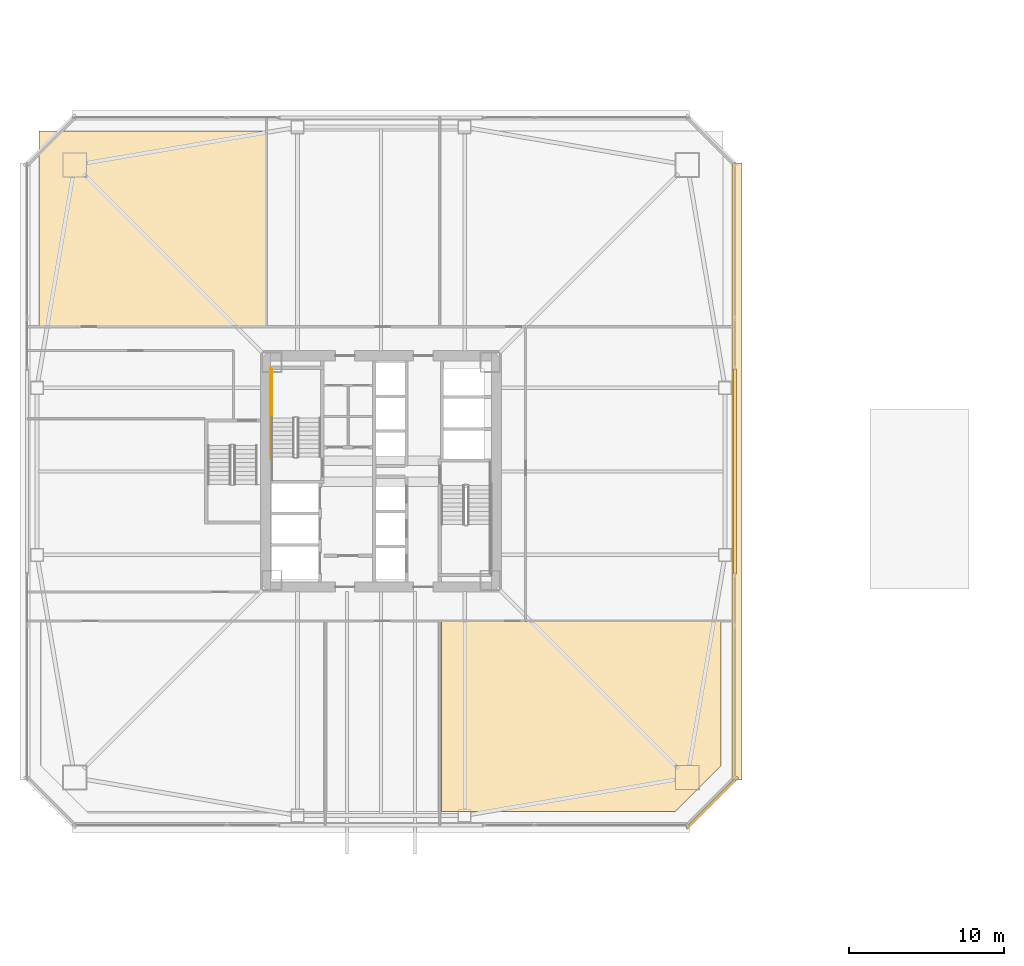
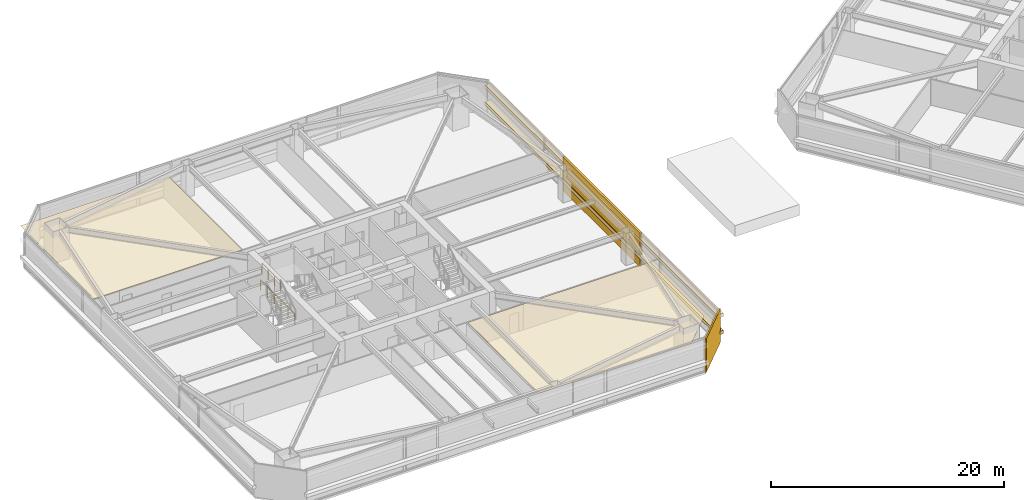
# One storey, part 41 of 46: 6 coverings, 2 railings.
"""IFC4 building model written with IfcOpenShell, lengths in metres."""

import ifcopenshell
import ifcopenshell.guid

model = None  # the IFC model being written
_history = None  # IfcOwnerHistory: only IFC2X3 demands one
_inside = {}  # id of a spatial element -> (the spatial element, [elements in it])
_under = {}  # id of a project, library or spatial element -> (it, [spatial elements below it])
_declared = {}  # id of a project -> (the project, [libraries it declares])
_typed = {}  # id of a type object -> (the type object, [elements of that type])
_made_of = {}  # id of a material, layer set ... -> (it, [elements and type objects made of it])


def new_model(schema):
    """Start an empty IFC model of exactly this schema.

    Asked for "IFC4X3", IfcOpenShell would pick the latest addendum, in which some entities
    have other attributes; the version numbers below select the first issue.
    IFC2X3 requires an IfcOwnerHistory on every rooted entity: one is made here for all.
    """
    global model, _history
    if schema == "IFC4X3":
        model = ifcopenshell.file(schema_version=(4, 3, 0, 0))
    else:
        model = ifcopenshell.file(schema=schema)
    _inside.clear()
    _under.clear()
    _declared.clear()
    _typed.clear()
    _made_of.clear()
    _history = None
    if model.schema == "IFC2X3":
        org = make("IfcOrganization", Name="unknown")
        user = make(
            "IfcPersonAndOrganization",
            ThePerson=make("IfcPerson", FamilyName="unknown"),
            TheOrganization=org,
        )
        app = make(
            "IfcApplication",
            ApplicationDeveloper=org,
            Version="unknown",
            ApplicationFullName="unknown",
            ApplicationIdentifier="unknown",
        )
        _history = make(
            "IfcOwnerHistory",
            OwningUser=user,
            OwningApplication=app,
            ChangeAction="ADDED",
            CreationDate=0,
        )
    return model


def make(cls, **values):
    """One entity of the class cls with the attributes given. An attribute that is None is left unset."""
    return model.create_entity(
        cls, **{name: value for name, value in values.items() if value is not None}
    )


def rooted(cls, **values):
    """An entity with a GlobalId (a new one), such as an element, a storey or a relation."""
    return make(cls, GlobalId=ifcopenshell.guid.new(), OwnerHistory=_history, **values)


def si_unit(unit_type, name, prefix=None):
    """IfcSIUnit, for example si_unit("LENGTHUNIT", "METRE", prefix="MILLI")."""
    return make("IfcSIUnit", UnitType=unit_type, Prefix=prefix, Name=name)


def assignment(units):
    """IfcUnitAssignment: the units of a project."""
    return None if units is None else make("IfcUnitAssignment", Units=units)


def point(xyz):
    """IfcCartesianPoint."""
    return None if xyz is None else make("IfcCartesianPoint", Coordinates=xyz)


def direction(xyz):
    """IfcDirection."""
    return None if xyz is None else make("IfcDirection", DirectionRatios=xyz)


def frame(location, z_axis=None, x_axis=None):
    """IfcAxis2Placement3D, a coordinate frame: its origin and axes. An axis left out is left unset."""
    return make(
        "IfcAxis2Placement3D",
        Location=point(location),
        Axis=direction(z_axis),
        RefDirection=direction(x_axis),
    )


def frame_2d(location, x_axis=None):
    """IfcAxis2Placement2D, a coordinate frame in the plane: its origin and x axis."""
    return make(
        "IfcAxis2Placement2D", Location=point(location), RefDirection=direction(x_axis)
    )


def origin():
    """The frame at (0, 0, 0) with its axes left unset."""
    return frame((0.0, 0.0, 0.0))


def origin_2d():
    """The frame at (0, 0) in the plane with its x axis left unset."""
    return frame_2d((0.0, 0.0))


def place(relative_to, where):
    """IfcLocalPlacement: puts the frame where relative to a parent placement (None: the world)."""
    return make(
        "IfcLocalPlacement", PlacementRelTo=relative_to, RelativePlacement=where
    )


def context(
    kind, dimensions, precision=None, world=None, true_north=None, identifier=None
):
    """IfcGeometricRepresentationContext, for example the 3D "Model" context."""
    return make(
        "IfcGeometricRepresentationContext",
        ContextIdentifier=identifier,
        ContextType=kind,
        CoordinateSpaceDimension=dimensions,
        Precision=precision,
        WorldCoordinateSystem=world,
        TrueNorth=true_north,
    )


def subcontext(parent, identifier, kind, view, scale=None):
    """IfcGeometricRepresentationSubContext, for example "Body" below "Model"."""
    return make(
        "IfcGeometricRepresentationSubContext",
        ContextIdentifier=identifier,
        ContextType=kind,
        ParentContext=parent,
        TargetScale=scale,
        TargetView=view,
    )


def project(units=None, contexts=None):
    """IfcProject with its units and contexts."""
    return rooted(
        "IfcProject",
        Name="project",
        RepresentationContexts=contexts,
        UnitsInContext=assignment(units),
    )


def spatial(cls, under=None, at=None, **own):
    """A site, building, storey or space (cls), placed at a placement, below another one or the project."""
    s = rooted(cls, ObjectPlacement=at, **own)
    if under is not None:
        _under.setdefault(under.id(), (under, []))[1].append(s)
    return s


def polyline(points):
    """IfcPolyline through the points."""
    return make("IfcPolyline", Points=[point(p) for p in points])


def profile(cls, at=None, kind="AREA", **sizes):
    """A parametric profile (cls). Its sizes go by their IFC names, for example OverallWidth=200.0."""
    return make(cls, ProfileType=kind, Position=at, **sizes)


def rectangle(**sizes):
    """IfcRectangleProfileDef."""
    return profile("IfcRectangleProfileDef", **sizes)


def outline(outer, holes=None, kind="AREA"):
    """IfcArbitraryClosedProfileDef: a profile drawn as a closed curve; with holes, ...WithVoids."""
    if holes is None:
        return make("IfcArbitraryClosedProfileDef", ProfileType=kind, OuterCurve=outer)
    return make(
        "IfcArbitraryProfileDefWithVoids",
        ProfileType=kind,
        OuterCurve=outer,
        InnerCurves=holes,
    )


def extrude(swept, where, along, depth):
    """IfcExtrudedAreaSolid: the profile swept, set in the frame where, extruded along a direction by depth."""
    return make(
        "IfcExtrudedAreaSolid",
        SweptArea=swept,
        Position=where,
        ExtrudedDirection=direction(along),
        Depth=depth,
    )


def shape(context_of_items, identifier, shape_type, items):
    """IfcShapeRepresentation: the items that make up one representation, for example the "Body"."""
    return make(
        "IfcShapeRepresentation",
        ContextOfItems=context_of_items,
        RepresentationIdentifier=identifier,
        RepresentationType=shape_type,
        Items=items,
    )


def material(Name=None, Category=None):
    """IfcMaterial."""
    return make("IfcMaterial", Name=Name, Category=Category)


def layer(
    of_material, thickness, ventilated=None, Name=None, Category=None, Priority=None
):
    """IfcMaterialLayer: one layer of a wall or slab, of a material (None: an air gap)."""
    return make(
        "IfcMaterialLayer",
        Material=of_material,
        LayerThickness=thickness,
        IsVentilated=ventilated,
        Name=Name,
        Category=Category,
        Priority=Priority,
    )


def layer_set(layers, Name=None):
    """IfcMaterialLayerSet."""
    return make("IfcMaterialLayerSet", MaterialLayers=layers, LayerSetName=Name)


def made_of(thing, what):
    """Note that an element or type object is made of a material, layer set ...; save() writes the relation."""
    if what is not None:
        _made_of.setdefault(what.id(), (what, []))[1].append(thing)
    return thing


def type_object(cls, material=None, **own):
    """A type object (cls), such as IfcWallType, which elements share."""
    return made_of(rooted(cls, **own), material)


def element(
    cls,
    number,
    at=None,
    inside=None,
    cuts=None,
    type_object=None,
    material=None,
    context=None,
    identifier="Body",
    shape_type=None,
    held_by="IfcProductDefinitionShape",
    body=None,
    shapes=None,
    **own,
):
    """One element of the class cls, such as IfcWall. Its Tag is "e" and its number.

    at: its placement. inside: the storey or other place that contains it. cuts: it is an
    opening in that element (IfcRelVoidsElement). A single representation is given by context,
    identifier, shape_type and body (its items); several are given by shapes. held_by: the class
    of the entity that holds the representations. save() writes the other relations.
    """
    e = rooted(cls, Tag="e%d" % number, ObjectPlacement=at, **own)
    if body is not None:
        shapes = [shape(context, identifier, shape_type, body)]
    if shapes is not None:
        e.Representation = make(held_by, Representations=shapes)
    if inside is not None:
        _inside.setdefault(inside.id(), (inside, []))[1].append(e)
    if cuts is not None:
        rooted(
            "IfcRelVoidsElement", RelatingBuildingElement=cuts, RelatedOpeningElement=e
        )
    if type_object is not None:
        _typed.setdefault(type_object.id(), (type_object, []))[1].append(e)
    return made_of(e, material)


def aggregate(whole, parts):
    """IfcRelAggregates: a whole, such as a stair, and the parts it consists of."""
    return rooted("IfcRelAggregates", RelatingObject=whole, RelatedObjects=parts)


def save(model, path):
    """Write the relations noted so far, then the file.

    IfcRelAggregates (storeys below a building ...), IfcRelContainedInSpatialStructure (elements
    in a storey), IfcRelDefinesByType, IfcRelAssociatesMaterial and IfcRelDeclares: one each for
    every whole, place, type object, material and project.
    """
    for whole, parts in _under.values():
        aggregate(whole, parts)
    for where, things in _inside.values():
        rooted(
            "IfcRelContainedInSpatialStructure",
            RelatedElements=things,
            RelatingStructure=where,
        )
    for kind, things in _typed.values():
        rooted("IfcRelDefinesByType", RelatedObjects=things, RelatingType=kind)
    for what, things in _made_of.values():
        rooted("IfcRelAssociatesMaterial", RelatedObjects=things, RelatingMaterial=what)
    for by, libraries in _declared.values():
        rooted("IfcRelDeclares", RelatingContext=by, RelatedDefinitions=libraries)
    model.write(path)


model = new_model("IFC4")

# Units and contexts
model_context = context("Model", 3, precision=1e-05, world=origin(), true_north=direction((0.0, 1.0)))
body_context = subcontext(model_context, "Body", "Model", "MODEL_VIEW")
ifc_project = project(units=[si_unit("LENGTHUNIT", "METRE"), si_unit("AREAUNIT", "SQUARE_METRE"), si_unit("VOLUMEUNIT", "CUBIC_METRE"), si_unit("PLANEANGLEUNIT", "RADIAN"), si_unit("MASSUNIT", "GRAM", prefix="KILO")], contexts=[model_context])

# Site, building, storey
site_placement = place(None, origin())
site = spatial("IfcSite", under=ifc_project, at=site_placement, CompositionType="ELEMENT")
building_placement = place(site_placement, origin())
building = spatial("IfcBuilding", under=site, at=building_placement, Name="Tashvorn Skyway Center", CompositionType="ELEMENT")
storey_placement = place(building_placement, frame((0.0, 0.0, 31.699951171875)))
storey = spatial("IfcBuildingStorey", under=building, at=storey_placement, Name="L07", CompositionType="ELEMENT", Elevation=31.699951171875)

# Coverings
ifc_material_1 = material(Name="Precast concrete C40/50", Category="concrete")
ifc_layer_1 = layer(ifc_material_1, 0.199951171875)
ifc_layer_set_1 = layer_set([ifc_layer_1], Name="Precast concrete C40/50")
covering_type_1 = type_object("IfcCoveringType", Name="COV-BRACE-CLAD", PredefinedType="CLADDING", material=ifc_layer_set_1)
covering_1_placement = place(storey_placement, frame((64.8798828125, 32.0, 0.0), z_axis=(0.0, 0.0, 1.0), x_axis=(0.0, -1.0, 0.0)))
element("IfcCovering", 1, at=covering_1_placement, inside=storey, type_object=covering_type_1, Name="Tower 1 L07 East Unitised Curtain Wall Mega-Brace Cladding Band 1", PredefinedType="CLADDING", context=body_context, shape_type="SweptSolid", body=[
    extrude(rectangle(XDim=13.25341796875, YDim=0.199951171875, at=origin_2d()), origin(), (0.0, 0.0, 1.0), 3.550048828125),
])
ifc_material_2 = material(Name="Mineral-fibre acoustic ceiling tile on suspended grid")
ifc_layer_2 = layer(ifc_material_2, 0.02001953125)
ifc_layer_set_2 = layer_set([ifc_layer_2], Name="Mineral-fibre acoustic ceiling tile on suspended grid")
covering_type_2 = type_object("IfcCoveringType", Name="COV-CEIL-20", PredefinedType="CEILING", material=ifc_layer_set_2)
covering_2_placement = place(storey_placement, frame((0.0, 0.0, 2.68310546875)))
element("IfcCovering", 2, at=covering_2_placement, inside=storey, type_object=covering_type_2, Name="Tower 1 L07 Open Plan Office Acoustic Ceiling", PredefinedType="CEILING", context=body_context, shape_type="SweptSolid", body=[
    extrude(outline(polyline([(19.89990234375, 41.35009765625), (34.60009765625, 41.35009765625), (34.60009765625, 54.0), (19.89990234375, 54.0), (19.89990234375, 41.35009765625)])), origin(), (0.0, 0.0, 1.0), 0.02001953125),
])
covering_3_placement = place(storey_placement, frame((0.0, 0.0, 2.68310546875)))
element("IfcCovering", 3, at=covering_3_placement, inside=storey, type_object=covering_type_2, Name="Tower 1 L07 Catering Pantry Acoustic Ceiling", PredefinedType="CEILING", context=body_context, shape_type="SweptSolid", body=[
    extrude(outline(polyline([(45.919921875, 10.02001953125), (45.919921875, 22.2900390625), (63.97998046875, 22.2900390625), (63.97998046875, 12.97998046875), (61.02001953125, 10.02001953125), (45.919921875, 10.02001953125)])), origin(), (0.0, 0.0, 1.0), 0.02001953125),
])
ifc_material_3 = material(Name="Perforated ceramic-coated bronze aluminium solar screen", Category="aluminium")
ifc_layer_3 = layer(ifc_material_3, 0.85009765625)
ifc_layer_set_3 = layer_set([ifc_layer_3], Name="Perforated ceramic-coated bronze aluminium solar screen")
covering_type_3 = type_object("IfcCoveringType", Name="COV-SOLAR-BAND", PredefinedType="CLADDING", material=ifc_layer_set_3)
for number, where, z_axis, x_axis, name in (
    (4, (65.02001953125, 32.0, 0.919921875), (0.0, 0.0, 1.0), (0.0, -1.0, 0.0), "L07 Perforated Ceramic-Metal Solar Screen Louvre Band East 1"),
    (5, (65.02001953125, 32.0, 2.72021484375), (0.0, 0.0, 1.0), (0.0, -1.0, 0.0), "L07 Perforated Ceramic-Metal Solar Screen Louvre Band East 2"),
):
    element("IfcCovering", number, at=place(storey_placement, frame(where, z_axis=z_axis, x_axis=x_axis)), inside=storey, type_object=covering_type_3, Name=name, PredefinedType="CLADDING", context=body_context, shape_type="SweptSolid", body=[
        extrude(rectangle(XDim=39.8798828125, YDim=0.639892578125, at=origin_2d()), origin(), (0.0, 0.0, 1.0), 0.360107421875),
    ])
ifc_layer_4 = layer(ifc_material_1, 0.35009765625)
ifc_layer_set_4 = layer_set([ifc_layer_4], Name="Precast concrete C40/50")
covering_type_4 = type_object("IfcCoveringType", Name="COV-STONE-TRIM", PredefinedType="CLADDING", material=ifc_layer_set_4)
covering_4_placement = place(storey_placement, frame((63.419921875, 10.580078125, 0.02001953125), z_axis=(0.0, 0.0, 1.0), x_axis=(0.707106781187, 0.707106781187, 0.0)))
element("IfcCovering", 6, at=covering_4_placement, inside=storey, type_object=covering_type_4, Name="Tower 1 L07 SE Mojave Limestone Corner Quoin", PredefinedType="CLADDING", context=body_context, shape_type="SweptSolid", body=[
    extrude(rectangle(XDim=4.685546875, YDim=0.139892578125, at=origin_2d()), origin(), (0.0, 0.0, 1.0), 3.510009765625),
])

# Railings
ifc_material_4 = material(Name="Painted galvanized steel S355", Category="steel")
railing_type = type_object("IfcRailingType", Name="RAIL-STGUARD-1100", PredefinedType="GUARDRAIL", material=ifc_material_4)
railing_1_placement = place(storey_placement, frame((34.949951171875, 35.43994140625, 1.775146484375)))
element("IfcRailing", 7, at=railing_1_placement, inside=storey, type_object=railing_type, Name="L07 ST-T1-1 stair guard 3", PredefinedType="GUARDRAIL", context=body_context, shape_type="SweptSolid", body=[
    extrude(rectangle(XDim=0.048095703125, YDim=0.048095703125, at=origin_2d()), frame((0.0, 0.0, 1.076171875), z_axis=(0.0, 1.0, 0.0), x_axis=(-1.0, 0.0, 0.0)), (0.0, 0.0, 1.0), 3.16015625),
    extrude(rectangle(XDim=0.0419921875, YDim=0.0419921875, at=origin_2d()), origin(), (0.0, 0.0, 1.0), 1.052001953125),
    extrude(rectangle(XDim=0.0419921875, YDim=0.0419921875, at=origin_2d()), frame((0.0, 1.053466796875, 0.0)), (0.0, 0.0, 1.0), 1.052001953125),
    extrude(rectangle(XDim=0.0419921875, YDim=0.0419921875, at=origin_2d()), frame((0.0, 2.106689453125, 0.0)), (0.0, 0.0, 1.0), 1.052001953125),
    extrude(rectangle(XDim=0.0419921875, YDim=0.0419921875, at=origin_2d()), frame((0.0, 3.16015625, 0.0)), (0.0, 0.0, 1.0), 1.052001953125),
])
railing_2_placement = place(storey_placement, frame((34.85009765625, 32.820068359375, 0.0)))
element("IfcRailing", 8, at=railing_2_placement, inside=storey, type_object=railing_type, Name="L07 ST-T1-1 stair guard 7", PredefinedType="GUARDRAIL", context=body_context, shape_type="SweptSolid", body=[
    extrude(rectangle(XDim=0.048095703125, YDim=0.048095703125, at=origin_2d()), frame((0.0, 0.0, 1.076171875), z_axis=(0.0, 1.0, 0.0), x_axis=(-1.0, 0.0, 0.0)), (0.0, 0.0, 1.0), 5.8798828125),
    extrude(rectangle(XDim=0.0419921875, YDim=0.0419921875, at=origin_2d()), origin(), (0.0, 0.0, 1.0), 1.052001953125),
    extrude(rectangle(XDim=0.0419921875, YDim=0.0419921875, at=origin_2d()), frame((0.0, 1.176025390625, 0.0)), (0.0, 0.0, 1.0), 1.052001953125),
    extrude(rectangle(XDim=0.0419921875, YDim=0.0419921875, at=origin_2d()), frame((0.0, 2.35205078125, 0.0)), (0.0, 0.0, 1.0), 1.052001953125),
    extrude(rectangle(XDim=0.0419921875, YDim=0.0419921875, at=origin_2d()), frame((0.0, 3.52783203125, 0.0)), (0.0, 0.0, 1.0), 1.052001953125),
    extrude(rectangle(XDim=0.0419921875, YDim=0.0419921875, at=origin_2d()), frame((0.0, 4.703857421875, 0.0)), (0.0, 0.0, 1.0), 1.052001953125),
    extrude(rectangle(XDim=0.0419921875, YDim=0.0419921875, at=origin_2d()), frame((0.0, 5.8798828125, 0.0)), (0.0, 0.0, 1.0), 1.052001953125),
])

save(model, "model.ifc")
